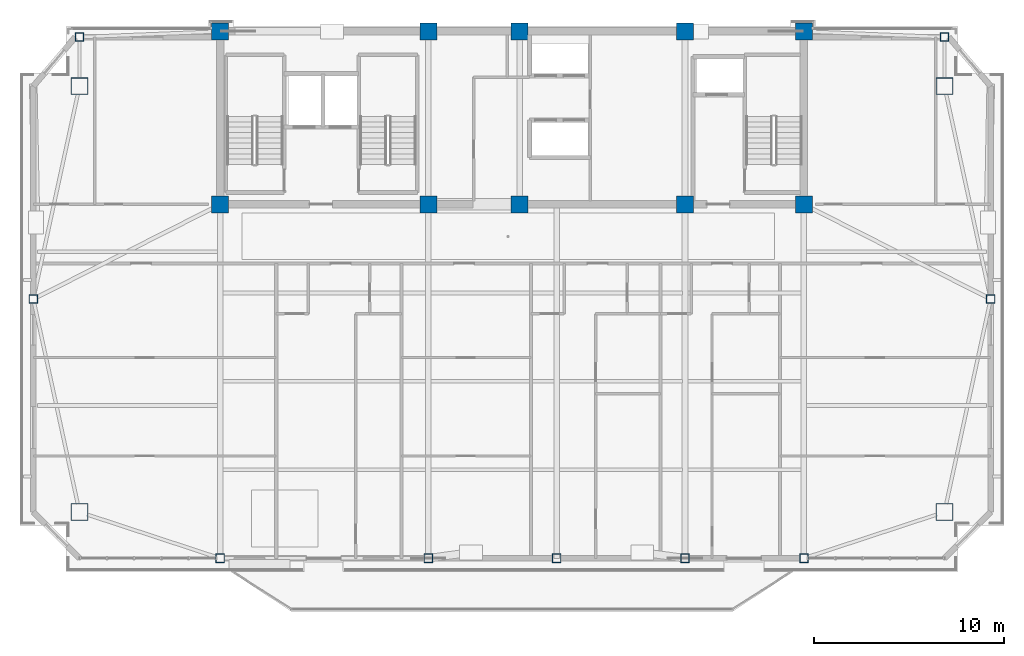
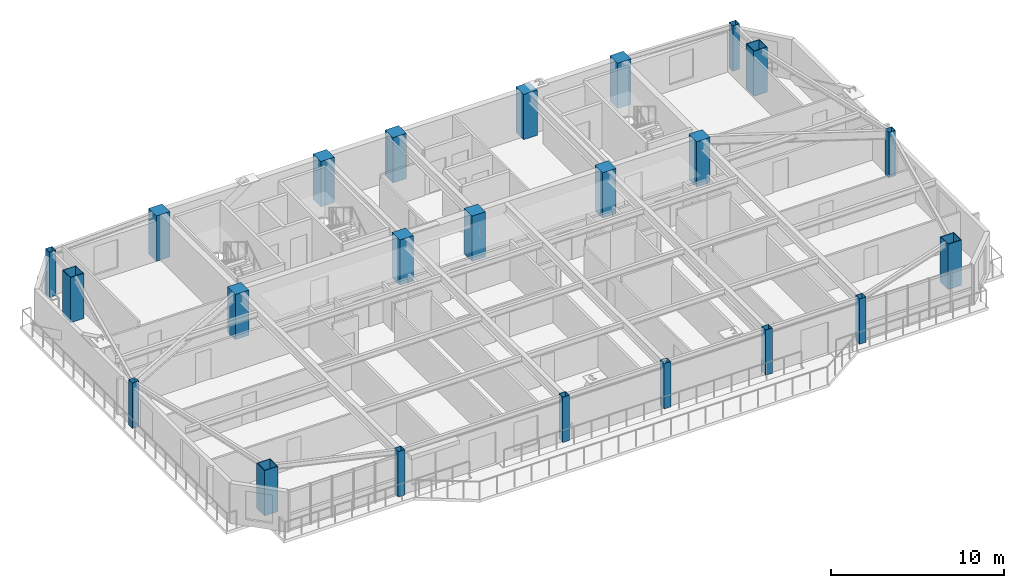
# One storey, part 1 of 15: 23 columns.
"""IFC4 building model written with IfcOpenShell, lengths in metres."""

from ifc_helpers import new_model, si_unit, direction, frame, origin, origin_2d, place, context, subcontext, project, spatial, rectangle, hollow_rectangle, extrude, source, transform, mapped, material, material_profile, profile_set, type_object, element, save


model = new_model("IFC4")

# Units and contexts
model_context = context("Model", 3, precision=1e-05, world=origin(), true_north=direction((0.0, 1.0)))
body_context = subcontext(model_context, "Body", "Model", "MODEL_VIEW")
ifc_project = project(units=[si_unit("LENGTHUNIT", "METRE"), si_unit("AREAUNIT", "SQUARE_METRE"), si_unit("VOLUMEUNIT", "CUBIC_METRE"), si_unit("PLANEANGLEUNIT", "RADIAN"), si_unit("MASSUNIT", "GRAM", prefix="KILO")], contexts=[model_context])

# Site, building, storey
site_placement = place(None, origin())
site = spatial("IfcSite", under=ifc_project, at=site_placement, CompositionType="ELEMENT")
building_placement = place(site_placement, origin())
building = spatial("IfcBuilding", under=site, at=building_placement, Name="Giltprow Tower", CompositionType="ELEMENT")
storey_placement = place(building_placement, frame((0.0, 0.0, 293.800048828125)))
storey = spatial("IfcBuildingStorey", under=building, at=storey_placement, Name="L75", CompositionType="ELEMENT", Elevation=293.800048828125)

# Columns
ifc_material_1 = material(Name="Concrete C45", Category="concrete")
ifc_material_profile_1 = material_profile(ifc_material_1, rectangle(XDim=0.89990234375, YDim=0.89990234375, at=origin_2d()), Name="RC 900x900")
ifc_profile_set_1 = profile_set([ifc_material_profile_1], Name="Concrete C45")
column_type_1 = type_object("IfcColumnType", Name="PIL-RC-900-C45", PredefinedType="PILASTER", material=ifc_profile_set_1)
shared_shape_1 = source(origin(), body_context, "Body", "SweptSolid", [
    extrude(rectangle(XDim=0.89990234375, YDim=0.89990234375, at=origin_2d()), origin(), (0.0, 0.0, 1.0), 3.18505859375),
])
for number, where, z_axis, x_axis, name in (
    (1, (19.85009765625, 37.449951171875, 0.0), (0.0, 0.0, 1.0), (1.0, 0.0, 0.0), "L75 Core Boundary Pilaster 1-1"),
    (2, (19.85009765625, 46.550048828125, 0.0), (0.0, 0.0, 1.0), (1.0, 0.0, 0.0), "L75 Core Boundary Pilaster 1-2"),
    (3, (30.800048828125, 37.449951171875, 0.0), (0.0, 0.0, 1.0), (1.0, 0.0, 0.0), "L75 Core Boundary Pilaster 2-1"),
    (4, (30.800048828125, 46.550048828125, 0.0), (0.0, 0.0, 1.0), (1.0, 0.0, 0.0), "L75 Core Boundary Pilaster 2-2"),
    (5, (35.60009765625, 37.449951171875, 0.0), (0.0, 0.0, 1.0), (1.0, 0.0, 0.0), "L75 Core Boundary Pilaster 3-1"),
    (6, (35.60009765625, 46.550048828125, 0.0), (0.0, 0.0, 1.0), (1.0, 0.0, 0.0), "L75 Core Boundary Pilaster 3-2"),
    (7, (44.300048828125, 37.449951171875, 0.0), (0.0, 0.0, 1.0), (1.0, 0.0, 0.0), "L75 Core Boundary Pilaster 4-1"),
    (8, (44.300048828125, 46.550048828125, 0.0), (0.0, 0.0, 1.0), (1.0, 0.0, 0.0), "L75 Core Boundary Pilaster 4-2"),
    (9, (50.550048828125, 37.449951171875, 0.0), (0.0, 0.0, 1.0), (1.0, 0.0, 0.0), "L75 Core Boundary Pilaster 5-1"),
    (10, (50.550048828125, 46.550048828125, 0.0), (0.0, 0.0, 1.0), (1.0, 0.0, 0.0), "L75 Core Boundary Pilaster 5-2"),
):
    element("IfcColumn", number, at=place(storey_placement, frame(where, z_axis=z_axis, x_axis=x_axis)), inside=storey, type_object=column_type_1, Name=name, PredefinedType="PILASTER", context=body_context, shape_type="MappedRepresentation", body=[
        mapped(shared_shape_1, transform((0.0, 0.0, 0.0), x_axis=(1.0, 0.0, 0.0), y_axis=(0.0, 1.0, 0.0), z_axis=(0.0, 0.0, 1.0), scale=1.0)),
    ])
ifc_material_2 = material(Name="Structural steel Q420GJC", Category="steel")
ifc_material_profile_2 = material_profile(ifc_material_2, hollow_rectangle(XDim=0.89990234375, YDim=0.89990234375, WallThickness=0.0400390625, at=origin_2d()), Name="BOX 900x900x40")
ifc_profile_set_2 = profile_set([ifc_material_profile_2], Name="Structural steel Q420GJC")
column_type_2 = type_object("IfcColumnType", Name="COL-BOX-900x900x40", PredefinedType="COLUMN", material=ifc_profile_set_2)
shared_shape_2 = source(origin(), body_context, "Body", "SweptSolid", [
    extrude(hollow_rectangle(XDim=0.89990234375, YDim=0.89990234375, WallThickness=0.0400390625, at=origin_2d()), origin(), (0.0, 0.0, 1.0), 3.18505859375),
])
for number, where, z_axis, x_axis, name in (
    (11, (12.455078125, 21.27197265625, 0.0), (0.0, 0.0, 1.0), (1.0, 0.0, 0.0), "L75 Mega-Column MC_SW"),
    (12, (57.945068359375, 21.27197265625, 0.0), (0.0, 0.0, 1.0), (1.0, 0.0, 0.0), "L75 Mega-Column MC_SE"),
    (13, (12.455078125, 43.6689453125, 0.0), (0.0, 0.0, 1.0), (1.0, 0.0, 0.0), "L75 Mega-Column MC_NW"),
    (14, (57.945068359375, 43.6689453125, 0.0), (0.0, 0.0, 1.0), (1.0, 0.0, 0.0), "L75 Mega-Column MC_NE"),
):
    element("IfcColumn", number, at=place(storey_placement, frame(where, z_axis=z_axis, x_axis=x_axis)), inside=storey, type_object=column_type_2, Name=name, PredefinedType="COLUMN", context=body_context, shape_type="MappedRepresentation", body=[
        mapped(shared_shape_2, transform((0.0, 0.0, 0.0), x_axis=(1.0, 0.0, 0.0), y_axis=(0.0, 1.0, 0.0), z_axis=(0.0, 0.0, 1.0), scale=1.0)),
    ])
ifc_material_3 = material(Name="Structural steel Q355B", Category="steel")
ifc_material_profile_3 = material_profile(ifc_material_3, hollow_rectangle(XDim=0.449951171875, YDim=0.449951171875, WallThickness=0.02197265625, at=origin_2d()), Name="BOX 450x450x22")
ifc_profile_set_3 = profile_set([ifc_material_profile_3], Name="Structural steel Q355B")
column_type_3 = type_object("IfcColumnType", Name="COL-BOX-450x450x22", PredefinedType="COLUMN", material=ifc_profile_set_3)
shared_shape_3 = source(origin(), body_context, "Body", "SweptSolid", [
    extrude(hollow_rectangle(XDim=0.449951171875, YDim=0.449951171875, WallThickness=0.02197265625, at=origin_2d()), origin(), (0.0, 0.0, 1.0), 3.18505859375),
])
for number, where, z_axis, x_axis, name in (
    (15, (19.85009765625, 18.841064453125, 0.0), (0.0, 0.0, 1.0), (1.0, 0.0, 0.0), "L75 Perimeter Column S1"),
    (16, (30.800048828125, 18.841064453125, 0.0), (0.0, 0.0, 1.0), (1.0, 0.0, 0.0), "L75 Perimeter Column S2"),
    (17, (37.550048828125, 18.841064453125, 0.0), (0.0, 0.0, 1.0), (1.0, 0.0, 0.0), "L75 Perimeter Column S_MID"),
    (18, (44.300048828125, 18.841064453125, 0.0), (0.0, 0.0, 1.0), (1.0, 0.0, 0.0), "L75 Perimeter Column S3"),
    (19, (50.550048828125, 18.841064453125, 0.0), (0.0, 0.0, 1.0), (1.0, 0.0, 0.0), "L75 Perimeter Column S4"),
    (20, (10.02392578125, 32.470947265625, 0.0), (0.0, 0.0, 1.0), (1.0, 0.0, 0.0), "L75 Perimeter Column W_MID"),
    (21, (60.3759765625, 32.470947265625, 0.0), (0.0, 0.0, 1.0), (1.0, 0.0, 0.0), "L75 Perimeter Column E_MID"),
    (22, (12.455078125, 46.25, 0.0), (0.0, 0.0, 1.0), (1.0, 0.0, 0.0), "L75 Perimeter Column N_W"),
    (23, (57.945068359375, 46.25, 0.0), (0.0, 0.0, 1.0), (1.0, 0.0, 0.0), "L75 Perimeter Column N_E"),
):
    element("IfcColumn", number, at=place(storey_placement, frame(where, z_axis=z_axis, x_axis=x_axis)), inside=storey, type_object=column_type_3, Name=name, PredefinedType="COLUMN", context=body_context, shape_type="MappedRepresentation", body=[
        mapped(shared_shape_3, transform((0.0, 0.0, 0.0), x_axis=(1.0, 0.0, 0.0), y_axis=(0.0, 1.0, 0.0), z_axis=(0.0, 0.0, 1.0), scale=1.0)),
    ])

save(model, "model.ifc")
